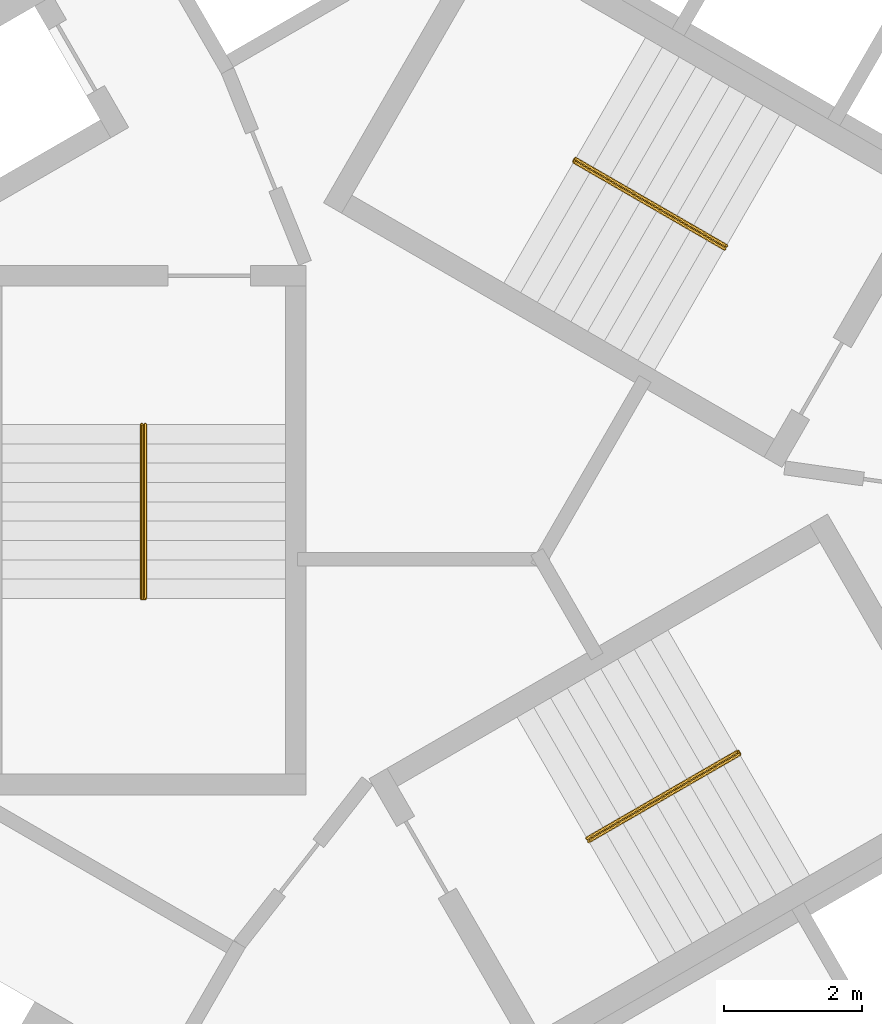
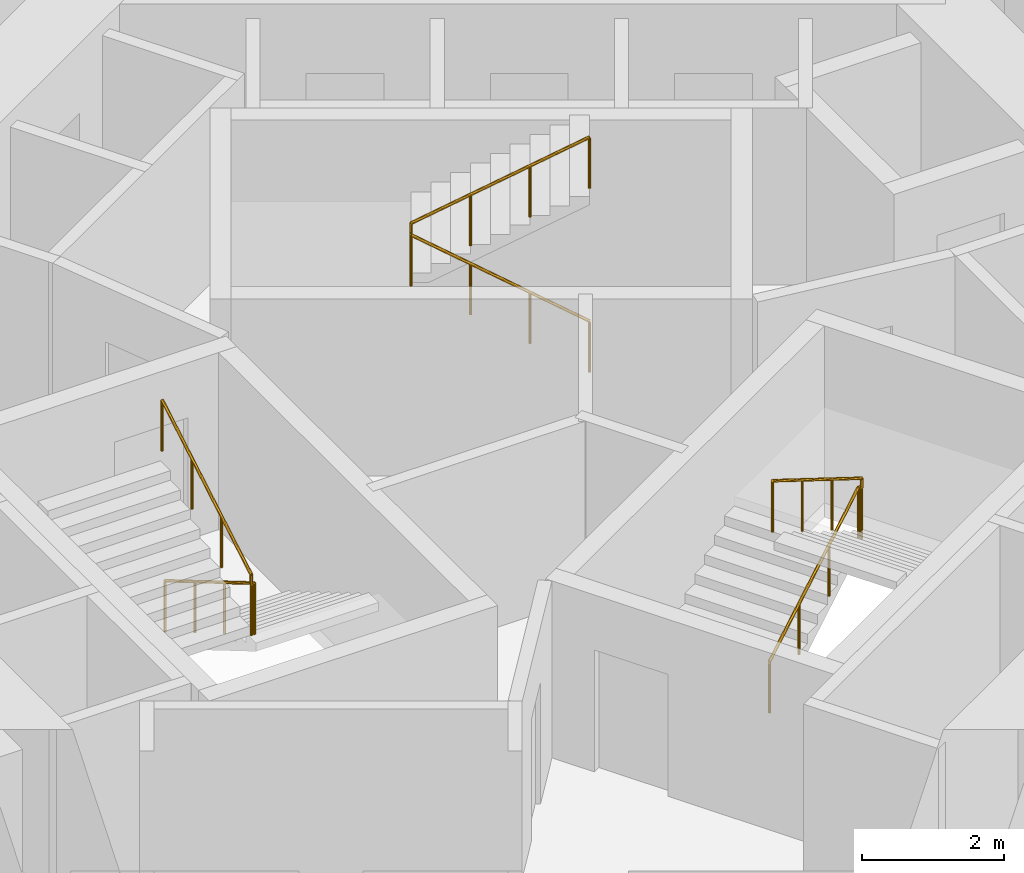
# One storey, part 12 of 12: 3 railings.
"""IFC4 building model written with IfcOpenShell, lengths in metres."""

from ifc_helpers import new_model, si_unit, direction, frame, origin, origin_2d, place, context, subcontext, project, spatial, circle, extrude, material, type_object, element, save


model = new_model("IFC4")

# Units and contexts
model_context = context("Model", 3, precision=1e-05, world=origin(), true_north=direction((0.0, 1.0)))
body_context = subcontext(model_context, "Body", "Model", "MODEL_VIEW")
ifc_project = project(units=[si_unit("LENGTHUNIT", "METRE"), si_unit("AREAUNIT", "SQUARE_METRE"), si_unit("VOLUMEUNIT", "CUBIC_METRE"), si_unit("PLANEANGLEUNIT", "RADIAN"), si_unit("MASSUNIT", "GRAM", prefix="KILO")], contexts=[model_context])

# Site, building, storey
site_placement = place(None, origin())
site = spatial("IfcSite", under=ifc_project, at=site_placement, CompositionType="ELEMENT")
building_placement = place(site_placement, origin())
building = spatial("IfcBuilding", under=site, at=building_placement, Name="Vanh Sen Convention Tower", CompositionType="ELEMENT")
storey_placement = place(building_placement, frame((0.0, 0.0, 67.10009765625)))
storey = spatial("IfcBuildingStorey", under=building, at=storey_placement, Name="L14", CompositionType="ELEMENT", Elevation=67.10009765625)

# Railings
ifc_material = material(Name="Stainless steel handrail", Category="steel")
railing_type = type_object("IfcRailingType", Name="Stair handrail 900", PredefinedType="HANDRAIL", material=ifc_material)
railing_1_placement = place(storey_placement, frame((3.45849609375, 3.690185546875, 0.164794921875)))
element("IfcRailing", 1, at=railing_1_placement, inside=storey, type_object=railing_type, Name="Stair handrail ST1 L14", PredefinedType="HANDRAIL", context=body_context, shape_type="SweptSolid", body=[
    extrude(circle(Radius=0.02392578125, at=origin_2d()), frame((0.0, 0.0, 0.8759765625), z_axis=(-0.746134546661, 0.430738299252, 0.507688640642), x_axis=(-0.499962843328, -0.866046855136, 0.0)), (0.0, 0.0, 1.0), 2.92529296875),
    extrude(circle(Radius=0.02392578125, at=origin_2d()), frame((-2.1826171875, 1.260009765625, 2.36083984375), z_axis=(0.502959906984, 0.86430974307, 0.0), x_axis=(-0.86430974307, 0.502959906984, 0.0)), (0.0, 0.0, 1.0), 0.050048828125),
    extrude(circle(Radius=0.02392578125, at=origin_2d()), frame((-2.157470703125, 1.30322265625, 2.36083984375), z_axis=(0.0, 0.0, 1.0), x_axis=(1.0, 0.0, 0.0)), (0.0, 0.0, 1.0), 0.1650390625),
    extrude(circle(Radius=0.02392578125, at=origin_2d()), frame((-2.157470703125, 1.30322265625, 2.52587890625), z_axis=(0.746129163535, -0.430783377672, 0.507658303235), x_axis=(0.500004791531, 0.866022637375, 0.0)), (0.0, 0.0, 1.0), 2.9248046875),
    extrude(circle(Radius=0.02099609375, at=origin_2d()), origin(), (0.0, 0.0, 1.0), 0.851806640625),
    extrude(circle(Radius=0.02099609375, at=origin_2d()), frame((-0.7275390625, 0.419921875, 0.4951171875)), (0.0, 0.0, 1.0), 0.851806640625),
    extrude(circle(Radius=0.02099609375, at=origin_2d()), frame((-1.455078125, 0.840087890625, 0.989990234375)), (0.0, 0.0, 1.0), 0.851806640625),
    extrude(circle(Radius=0.02099609375, at=origin_2d()), frame((-2.1826171875, 1.260009765625, 1.485107421875)), (0.0, 0.0, 1.0), 0.851806640625),
    extrude(circle(Radius=0.02099609375, at=origin_2d()), frame((-2.157470703125, 1.30322265625, 1.485107421875)), (0.0, 0.0, 1.0), 0.851806640625),
    extrude(circle(Radius=0.02099609375, at=origin_2d()), frame((-2.157470703125, 1.30322265625, 1.650146484375)), (0.0, 0.0, 1.0), 0.851806640625),
    extrude(circle(Radius=0.02099609375, at=origin_2d()), frame((-1.429931640625, 0.88330078125, 2.14501953125)), (0.0, 0.0, 1.0), 0.851806640625),
    extrude(circle(Radius=0.02099609375, at=origin_2d()), frame((-0.70263671875, 0.463134765625, 2.64013671875)), (0.0, 0.0, 1.0), 0.851806640625),
    extrude(circle(Radius=0.02099609375, at=origin_2d()), frame((0.02490234375, 0.043212890625, 3.135009765625)), (0.0, 0.0, 1.0), 0.851806640625),
])
railing_2_placement = place(storey_placement, frame((-4.925048828125, 1.14990234375, 0.164794921875)))
element("IfcRailing", 2, at=railing_2_placement, inside=storey, type_object=railing_type, Name="Stair handrail ST2 L14", PredefinedType="HANDRAIL", context=body_context, shape_type="SweptSolid", body=[
    extrude(circle(Radius=0.02392578125, at=origin_2d()), frame((0.0, 0.0, 0.8759765625), z_axis=(0.0, -0.86152411907, 0.507716645641), x_axis=(1.0, 0.0, 0.0)), (0.0, 0.0, 1.0), 2.925048828125),
    extrude(circle(Radius=0.02392578125, at=origin_2d()), frame((0.0, -2.52001953125, 2.36083984375), z_axis=(-1.0, 0.0, 0.0), x_axis=(0.0, -1.0, 0.0)), (0.0, 0.0, 1.0), 0.050048828125),
    extrude(circle(Radius=0.02392578125, at=origin_2d()), frame((-0.050048828125, -2.52001953125, 2.36083984375), z_axis=(0.0, 0.0, 1.0), x_axis=(1.0, 0.0, 0.0)), (0.0, 0.0, 1.0), 0.1650390625),
    extrude(circle(Radius=0.02392578125, at=origin_2d()), frame((-0.050048828125, -2.52001953125, 2.52587890625), z_axis=(0.0, 0.861560626758, 0.507654692109), x_axis=(-1.0, 0.0, 0.0)), (0.0, 0.0, 1.0), 2.925048828125),
    extrude(circle(Radius=0.02099609375, at=origin_2d()), origin(), (0.0, 0.0, 1.0), 0.851806640625),
    extrude(circle(Radius=0.02099609375, at=origin_2d()), frame((0.0, -0.840087890625, 0.4951171875)), (0.0, 0.0, 1.0), 0.851806640625),
    extrude(circle(Radius=0.02099609375, at=origin_2d()), frame((0.0, -1.679931640625, 0.989990234375)), (0.0, 0.0, 1.0), 0.851806640625),
    extrude(circle(Radius=0.02099609375, at=origin_2d()), frame((0.0, -2.52001953125, 1.485107421875)), (0.0, 0.0, 1.0), 0.851806640625),
    extrude(circle(Radius=0.02099609375, at=origin_2d()), frame((-0.050048828125, -2.52001953125, 1.485107421875)), (0.0, 0.0, 1.0), 0.851806640625),
    extrude(circle(Radius=0.02099609375, at=origin_2d()), frame((-0.050048828125, -2.52001953125, 1.650146484375)), (0.0, 0.0, 1.0), 0.851806640625),
    extrude(circle(Radius=0.02099609375, at=origin_2d()), frame((-0.050048828125, -1.679931640625, 2.14501953125)), (0.0, 0.0, 1.0), 0.851806640625),
    extrude(circle(Radius=0.02099609375, at=origin_2d()), frame((-0.050048828125, -0.840087890625, 2.64013671875)), (0.0, 0.0, 1.0), 0.851806640625),
    extrude(circle(Radius=0.02099609375, at=origin_2d()), frame((-0.050048828125, 0.0, 3.135009765625)), (0.0, 0.0, 1.0), 0.851806640625),
])
railing_3_placement = place(storey_placement, frame((1.466552734375, -4.840087890625, 0.164794921875)))
element("IfcRailing", 3, at=railing_3_placement, inside=storey, type_object=railing_type, Name="Stair handrail ST3 L14", PredefinedType="HANDRAIL", context=body_context, shape_type="SweptSolid", body=[
    extrude(circle(Radius=0.02392578125, at=origin_2d()), frame((0.0, 0.0, 0.8759765625), z_axis=(0.746097546679, 0.430765123438, 0.507720256902), x_axis=(-0.500004791531, 0.866022637375, 0.0)), (0.0, 0.0, 1.0), 2.925048828125),
    extrude(circle(Radius=0.02392578125, at=origin_2d()), frame((2.182373046875, 1.260009765625, 2.36083984375), z_axis=(0.500844580232, -0.86553723574, 0.0), x_axis=(0.86553723574, 0.500844580232, 0.0)), (0.0, 0.0, 1.0), 0.05029296875),
    extrude(circle(Radius=0.02392578125, at=origin_2d()), frame((2.20751953125, 1.216552734375, 2.36083984375), z_axis=(0.0, 0.0, 1.0), x_axis=(1.0, 0.0, 0.0)), (0.0, 0.0, 1.0), 0.1650390625),
    extrude(circle(Radius=0.02392578125, at=origin_2d()), frame((2.20751953125, 1.216552734375, 2.52587890625), z_axis=(-0.746129163535, -0.430783377672, 0.507658303235), x_axis=(0.500004791531, -0.866022637375, 0.0)), (0.0, 0.0, 1.0), 2.9248046875),
    extrude(circle(Radius=0.02099609375, at=origin_2d()), origin(), (0.0, 0.0, 1.0), 0.851806640625),
    extrude(circle(Radius=0.02099609375, at=origin_2d()), frame((0.7275390625, 0.419921875, 0.4951171875)), (0.0, 0.0, 1.0), 0.851806640625),
    extrude(circle(Radius=0.02099609375, at=origin_2d()), frame((1.454833984375, 0.840087890625, 0.989990234375)), (0.0, 0.0, 1.0), 0.851806640625),
    extrude(circle(Radius=0.02099609375, at=origin_2d()), frame((2.182373046875, 1.260009765625, 1.485107421875)), (0.0, 0.0, 1.0), 0.851806640625),
    extrude(circle(Radius=0.02099609375, at=origin_2d()), frame((2.20751953125, 1.216552734375, 1.485107421875)), (0.0, 0.0, 1.0), 0.851806640625),
    extrude(circle(Radius=0.02099609375, at=origin_2d()), frame((2.20751953125, 1.216552734375, 1.650146484375)), (0.0, 0.0, 1.0), 0.851806640625),
    extrude(circle(Radius=0.02099609375, at=origin_2d()), frame((1.47998046875, 0.796630859375, 2.14501953125)), (0.0, 0.0, 1.0), 0.851806640625),
    extrude(circle(Radius=0.02099609375, at=origin_2d()), frame((0.752685546875, 0.37646484375, 2.64013671875)), (0.0, 0.0, 1.0), 0.851806640625),
    extrude(circle(Radius=0.02099609375, at=origin_2d()), frame((0.025146484375, -0.04345703125, 3.135009765625)), (0.0, 0.0, 1.0), 0.851806640625),
])

save(model, "model.ifc")
